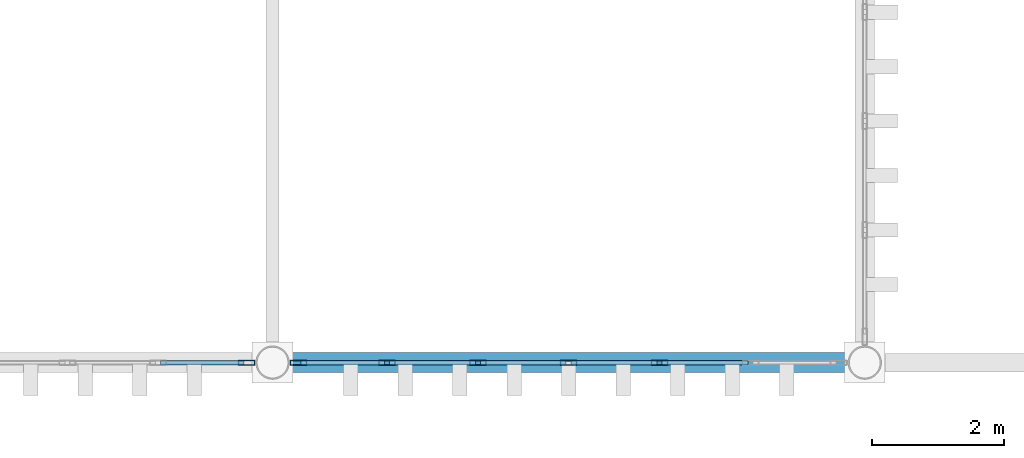
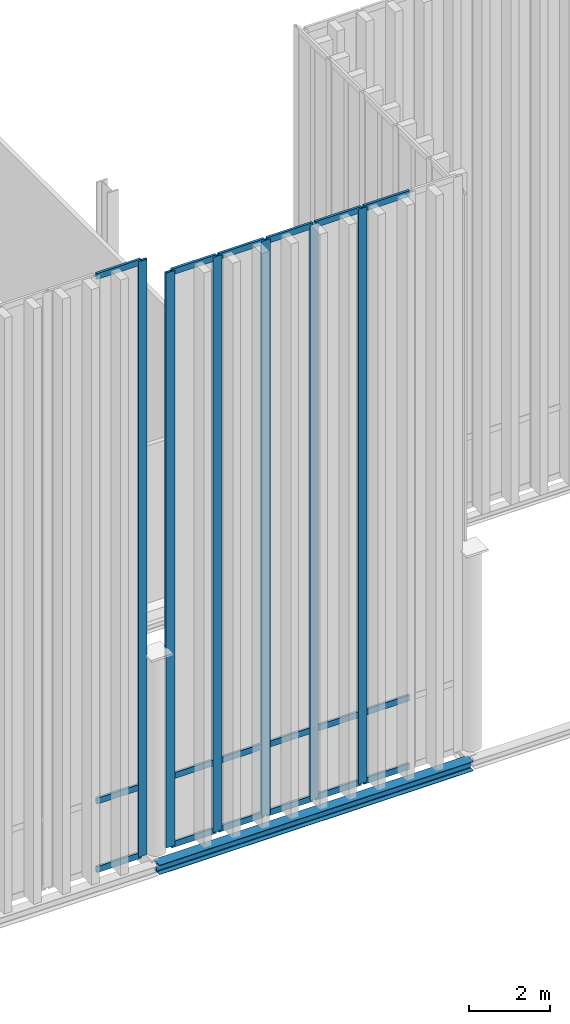
# One storey, part 27 of 237: 24 members, 1 beam, 2 elements without a shape of their own.
"""IFC4 building model written with IfcOpenShell, lengths in metres."""

from ifc_helpers import new_model, si_unit, direction, frame, origin, origin_2d, place, context, subcontext, project, spatial, hollow_rectangle, i_section, extrude, material, layer, layer_set, material_profile, profile_set, type_object, element, aggregate, save


model = new_model("IFC4")

# Units and contexts
model_context = context("Model", 3, precision=1e-05, world=origin(), true_north=direction((0.0, 1.0)))
body_context = subcontext(model_context, "Body", "Model", "MODEL_VIEW")
ifc_project = project(units=[si_unit("LENGTHUNIT", "METRE"), si_unit("AREAUNIT", "SQUARE_METRE"), si_unit("VOLUMEUNIT", "CUBIC_METRE"), si_unit("PLANEANGLEUNIT", "RADIAN"), si_unit("MASSUNIT", "GRAM", prefix="KILO")], contexts=[model_context])

# Site, building, storey
site_placement = place(None, origin())
site = spatial("IfcSite", under=ifc_project, at=site_placement, CompositionType="ELEMENT")
building_placement = place(site_placement, origin())
building = spatial("IfcBuilding", under=site, at=building_placement, Name="Barlavento Convention Centre", CompositionType="ELEMENT")
storey_placement = place(building_placement, frame((0.0, 0.0, 12.0)))
storey = spatial("IfcBuildingStorey", under=building, at=storey_placement, Name="L02", CompositionType="ELEMENT", Elevation=12.0)

# Curtain wall, member
ifc_material_1 = material(Name="Powder-coated aluminium and Low-E glass", Category="aluminium")
ifc_layer = layer(ifc_material_1, 0.18994140625)
ifc_layer_set = layer_set([ifc_layer], Name="ARC-CW-CONG-L02")
curtain_wall_type = type_object("IfcCurtainWallType", Name="ARC-CW-CONG-L02", PredefinedType="NOTDEFINED", material=ifc_layer_set)
curtain_wall_1_placement = place(storey_placement, origin())
curtain_wall_1 = element("IfcCurtainWall", 1, at=curtain_wall_1_placement, inside=storey, type_object=curtain_wall_type, Name="L02 unitised curtain wall CW02", PredefinedType="NOTDEFINED")
ifc_material_2 = material(Name="Powder-coated aluminium", Category="aluminium")
ifc_material_profile_1 = material_profile(ifc_material_2, hollow_rectangle(XDim=0.074951171875, YDim=0.25, WallThickness=0.006103515625, at=origin_2d()), Name="AL-MULL 75x250x6")
ifc_profile_set_1 = profile_set([ifc_material_profile_1], Name="Powder-coated aluminium")
member_type_1 = type_object("IfcMemberType", Name="ARC-CWM-75X250", PredefinedType="MULLION", material=ifc_profile_set_1)
member_1_placement = place(storey_placement, frame((8.603515625, 0.0, 0.0), z_axis=(0.0, 0.0, 1.0), x_axis=(0.0, 1.0, 0.0)))
member_1 = element("IfcMember", 2, at=member_1_placement, type_object=member_type_1, Name="CW02 mullion 7", PredefinedType="MULLION", context=body_context, shape_type="SweptSolid", body=[
    extrude(hollow_rectangle(XDim=0.074951171875, YDim=0.25, WallThickness=0.006103515625, at=origin_2d()), origin(), (0.0, 0.0, 1.0), 17.971923828125),
])

# Curtain wall, members
curtain_wall_2_placement = place(storey_placement, origin())
curtain_wall_2 = element("IfcCurtainWall", 3, at=curtain_wall_2_placement, inside=storey, type_object=curtain_wall_type, Name="L02 unitised curtain wall CW02", PredefinedType="NOTDEFINED")
member_2_placement = place(storey_placement, frame((9.396484375, 0.0, 0.0), z_axis=(0.0, 0.0, 1.0), x_axis=(0.0, 1.0, 0.0)))
member_2 = element("IfcMember", 4, at=member_2_placement, type_object=member_type_1, Name="CW02 mullion 1", PredefinedType="MULLION", context=body_context, shape_type="SweptSolid", body=[
    extrude(hollow_rectangle(XDim=0.074951171875, YDim=0.25, WallThickness=0.006103515625, at=origin_2d()), origin(), (0.0, 0.0, 1.0), 17.35400390625),
])
member_3_placement = place(storey_placement, frame((10.7392578125, 0.0, 0.0), z_axis=(0.0, 0.0, 1.0), x_axis=(0.0, 1.0, 0.0)))
member_3 = element("IfcMember", 5, at=member_3_placement, type_object=member_type_1, Name="CW02 mullion 2", PredefinedType="MULLION", context=body_context, shape_type="SweptSolid", body=[
    extrude(hollow_rectangle(XDim=0.074951171875, YDim=0.25, WallThickness=0.006103515625, at=origin_2d()), origin(), (0.0, 0.0, 1.0), 17.35400390625),
])
member_4_placement = place(storey_placement, frame((12.11962890625, 0.0, 0.0), z_axis=(0.0, 0.0, 1.0), x_axis=(0.0, 1.0, 0.0)))
member_4 = element("IfcMember", 6, at=member_4_placement, type_object=member_type_1, Name="CW02 mullion 3", PredefinedType="MULLION", context=body_context, shape_type="SweptSolid", body=[
    extrude(hollow_rectangle(XDim=0.074951171875, YDim=0.25, WallThickness=0.006103515625, at=origin_2d()), origin(), (0.0, 0.0, 1.0), 17.35400390625),
])
member_5_placement = place(storey_placement, frame((13.5, 0.0, 0.0), z_axis=(0.0, 0.0, 1.0), x_axis=(0.0, 1.0, 0.0)))
member_5 = element("IfcMember", 7, at=member_5_placement, type_object=member_type_1, Name="CW02 mullion 4", PredefinedType="MULLION", context=body_context, shape_type="SweptSolid", body=[
    extrude(hollow_rectangle(XDim=0.074951171875, YDim=0.25, WallThickness=0.006103515625, at=origin_2d()), origin(), (0.0, 0.0, 1.0), 17.35400390625),
])
member_6_placement = place(storey_placement, frame((14.88037109375, 0.0, 0.0), z_axis=(0.0, 0.0, 1.0), x_axis=(0.0, 1.0, 0.0)))
member_6 = element("IfcMember", 8, at=member_6_placement, type_object=member_type_1, Name="CW02 mullion 5", PredefinedType="MULLION", context=body_context, shape_type="SweptSolid", body=[
    extrude(hollow_rectangle(XDim=0.074951171875, YDim=0.25, WallThickness=0.006103515625, at=origin_2d()), origin(), (0.0, 0.0, 1.0), 17.35400390625),
])

# Member
ifc_material_profile_2 = material_profile(ifc_material_2, hollow_rectangle(XDim=0.070068359375, YDim=0.179931640625, WallThickness=0.0048828125, at=origin_2d()), Name="AL-TRAN 70x180x5")
ifc_profile_set_2 = profile_set([ifc_material_profile_2], Name="Powder-coated aluminium")
member_type_2 = type_object("IfcMemberType", Name="ARC-CWT-70X180", PredefinedType="USERDEFINED", material=ifc_profile_set_2)
member_7_placement = place(storey_placement, frame((7.298095703125, 0.0, 0.034912109375), z_axis=(1.0, 0.0, 0.0), x_axis=(0.0, 1.0, 0.0)))
member_7 = element("IfcMember", 9, at=member_7_placement, type_object=member_type_2, Name="CW02 transom 6.1", ObjectType="TRANSOM", PredefinedType="USERDEFINED", context=body_context, shape_type="SweptSolid", body=[
    extrude(hollow_rectangle(XDim=0.070068359375, YDim=0.179931640625, WallThickness=0.0048828125, at=origin_2d()), origin(), (0.0, 0.0, 1.0), 1.267822265625),
])

member_8_placement = place(storey_placement, frame((7.298095703125, 0.0, 2.10009765625), z_axis=(1.0, 0.0, 0.0), x_axis=(0.0, 1.0, 0.0)))
member_8 = element("IfcMember", 10, at=member_8_placement, type_object=member_type_2, Name="CW02 transom 6.2", ObjectType="TRANSOM", PredefinedType="USERDEFINED", context=body_context, shape_type="SweptSolid", body=[
    extrude(hollow_rectangle(XDim=0.070068359375, YDim=0.179931640625, WallThickness=0.0048828125, at=origin_2d()), origin(), (0.0, 0.0, 1.0), 1.267822265625),
])

member_9_placement = place(storey_placement, frame((7.298095703125, 0.0, 17.93701171875), z_axis=(1.0, 0.0, 0.0), x_axis=(0.0, 1.0, 0.0)))
member_9 = element("IfcMember", 11, at=member_9_placement, type_object=member_type_2, Name="CW02 transom 6.3", ObjectType="TRANSOM", PredefinedType="USERDEFINED", context=body_context, shape_type="SweptSolid", body=[
    extrude(hollow_rectangle(XDim=0.070068359375, YDim=0.179931640625, WallThickness=0.0048828125, at=origin_2d()), origin(), (0.0, 0.0, 1.0), 1.267822265625),
])

aggregate(curtain_wall_1, [member_1, member_7, member_8, member_9])

member_10_placement = place(storey_placement, frame((9.43408203125, 0.0, 0.034912109375), z_axis=(1.0, 0.0, 0.0), x_axis=(0.0, 1.0, 0.0)))
member_10 = element("IfcMember", 12, at=member_10_placement, type_object=member_type_2, Name="CW02 transom 1.1", ObjectType="TRANSOM", PredefinedType="USERDEFINED", context=body_context, shape_type="SweptSolid", body=[
    extrude(hollow_rectangle(XDim=0.070068359375, YDim=0.179931640625, WallThickness=0.0048828125, at=origin_2d()), origin(), (0.0, 0.0, 1.0), 1.267822265625),
])

member_11_placement = place(storey_placement, frame((9.43408203125, 0.0, 2.10009765625), z_axis=(1.0, 0.0, 0.0), x_axis=(0.0, 1.0, 0.0)))
member_11 = element("IfcMember", 13, at=member_11_placement, type_object=member_type_2, Name="CW02 transom 1.2", ObjectType="TRANSOM", PredefinedType="USERDEFINED", context=body_context, shape_type="SweptSolid", body=[
    extrude(hollow_rectangle(XDim=0.070068359375, YDim=0.179931640625, WallThickness=0.0048828125, at=origin_2d()), origin(), (0.0, 0.0, 1.0), 1.267822265625),
])

member_12_placement = place(storey_placement, frame((9.43408203125, 0.0, 17.319091796875), z_axis=(1.0, 0.0, 0.0), x_axis=(0.0, 1.0, 0.0)))
member_12 = element("IfcMember", 14, at=member_12_placement, type_object=member_type_2, Name="CW02 transom 1.3", ObjectType="TRANSOM", PredefinedType="USERDEFINED", context=body_context, shape_type="SweptSolid", body=[
    extrude(hollow_rectangle(XDim=0.070068359375, YDim=0.179931640625, WallThickness=0.0048828125, at=origin_2d()), origin(), (0.0, 0.0, 1.0), 1.267822265625),
])

member_13_placement = place(storey_placement, frame((10.77685546875, 0.0, 0.034912109375), z_axis=(1.0, 0.0, 0.0), x_axis=(0.0, 1.0, 0.0)))
member_13 = element("IfcMember", 15, at=member_13_placement, type_object=member_type_2, Name="CW02 transom 2.1", ObjectType="TRANSOM", PredefinedType="USERDEFINED", context=body_context, shape_type="SweptSolid", body=[
    extrude(hollow_rectangle(XDim=0.070068359375, YDim=0.179931640625, WallThickness=0.0048828125, at=origin_2d()), origin(), (0.0, 0.0, 1.0), 1.305419921875),
])

member_14_placement = place(storey_placement, frame((10.77685546875, 0.0, 2.10009765625), z_axis=(1.0, 0.0, 0.0), x_axis=(0.0, 1.0, 0.0)))
member_14 = element("IfcMember", 16, at=member_14_placement, type_object=member_type_2, Name="CW02 transom 2.2", ObjectType="TRANSOM", PredefinedType="USERDEFINED", context=body_context, shape_type="SweptSolid", body=[
    extrude(hollow_rectangle(XDim=0.070068359375, YDim=0.179931640625, WallThickness=0.0048828125, at=origin_2d()), origin(), (0.0, 0.0, 1.0), 1.305419921875),
])

member_15_placement = place(storey_placement, frame((10.77685546875, 0.0, 17.319091796875), z_axis=(1.0, 0.0, 0.0), x_axis=(0.0, 1.0, 0.0)))
member_15 = element("IfcMember", 17, at=member_15_placement, type_object=member_type_2, Name="CW02 transom 2.3", ObjectType="TRANSOM", PredefinedType="USERDEFINED", context=body_context, shape_type="SweptSolid", body=[
    extrude(hollow_rectangle(XDim=0.070068359375, YDim=0.179931640625, WallThickness=0.0048828125, at=origin_2d()), origin(), (0.0, 0.0, 1.0), 1.305419921875),
])

member_16_placement = place(storey_placement, frame((12.1572265625, 0.0, 0.034912109375), z_axis=(1.0, 0.0, 0.0), x_axis=(0.0, 1.0, 0.0)))
member_16 = element("IfcMember", 18, at=member_16_placement, type_object=member_type_2, Name="CW02 transom 3.1", ObjectType="TRANSOM", PredefinedType="USERDEFINED", context=body_context, shape_type="SweptSolid", body=[
    extrude(hollow_rectangle(XDim=0.070068359375, YDim=0.179931640625, WallThickness=0.0048828125, at=origin_2d()), origin(), (0.0, 0.0, 1.0), 1.30517578125),
])

member_17_placement = place(storey_placement, frame((12.1572265625, 0.0, 2.10009765625), z_axis=(1.0, 0.0, 0.0), x_axis=(0.0, 1.0, 0.0)))
member_17 = element("IfcMember", 19, at=member_17_placement, type_object=member_type_2, Name="CW02 transom 3.2", ObjectType="TRANSOM", PredefinedType="USERDEFINED", context=body_context, shape_type="SweptSolid", body=[
    extrude(hollow_rectangle(XDim=0.070068359375, YDim=0.179931640625, WallThickness=0.0048828125, at=origin_2d()), origin(), (0.0, 0.0, 1.0), 1.30517578125),
])

member_18_placement = place(storey_placement, frame((12.1572265625, 0.0, 17.319091796875), z_axis=(1.0, 0.0, 0.0), x_axis=(0.0, 1.0, 0.0)))
member_18 = element("IfcMember", 20, at=member_18_placement, type_object=member_type_2, Name="CW02 transom 3.3", ObjectType="TRANSOM", PredefinedType="USERDEFINED", context=body_context, shape_type="SweptSolid", body=[
    extrude(hollow_rectangle(XDim=0.070068359375, YDim=0.179931640625, WallThickness=0.0048828125, at=origin_2d()), origin(), (0.0, 0.0, 1.0), 1.30517578125),
])

member_19_placement = place(storey_placement, frame((13.53759765625, 0.0, 0.034912109375), z_axis=(1.0, 0.0, 0.0), x_axis=(0.0, 1.0, 0.0)))
member_19 = element("IfcMember", 21, at=member_19_placement, type_object=member_type_2, Name="CW02 transom 4.1", ObjectType="TRANSOM", PredefinedType="USERDEFINED", context=body_context, shape_type="SweptSolid", body=[
    extrude(hollow_rectangle(XDim=0.070068359375, YDim=0.179931640625, WallThickness=0.0048828125, at=origin_2d()), origin(), (0.0, 0.0, 1.0), 1.30517578125),
])

member_20_placement = place(storey_placement, frame((13.53759765625, 0.0, 2.10009765625), z_axis=(1.0, 0.0, 0.0), x_axis=(0.0, 1.0, 0.0)))
member_20 = element("IfcMember", 22, at=member_20_placement, type_object=member_type_2, Name="CW02 transom 4.2", ObjectType="TRANSOM", PredefinedType="USERDEFINED", context=body_context, shape_type="SweptSolid", body=[
    extrude(hollow_rectangle(XDim=0.070068359375, YDim=0.179931640625, WallThickness=0.0048828125, at=origin_2d()), origin(), (0.0, 0.0, 1.0), 1.30517578125),
])

member_21_placement = place(storey_placement, frame((13.53759765625, 0.0, 17.319091796875), z_axis=(1.0, 0.0, 0.0), x_axis=(0.0, 1.0, 0.0)))
member_21 = element("IfcMember", 23, at=member_21_placement, type_object=member_type_2, Name="CW02 transom 4.3", ObjectType="TRANSOM", PredefinedType="USERDEFINED", context=body_context, shape_type="SweptSolid", body=[
    extrude(hollow_rectangle(XDim=0.070068359375, YDim=0.179931640625, WallThickness=0.0048828125, at=origin_2d()), origin(), (0.0, 0.0, 1.0), 1.30517578125),
])

member_22_placement = place(storey_placement, frame((14.917724609375, 0.0, 0.034912109375), z_axis=(1.0, 0.0, 0.0), x_axis=(0.0, 1.0, 0.0)))
member_22 = element("IfcMember", 24, at=member_22_placement, type_object=member_type_2, Name="CW02 transom 5.1", ObjectType="TRANSOM", PredefinedType="USERDEFINED", context=body_context, shape_type="SweptSolid", body=[
    extrude(hollow_rectangle(XDim=0.070068359375, YDim=0.179931640625, WallThickness=0.0048828125, at=origin_2d()), origin(), (0.0, 0.0, 1.0), 1.305419921875),
])

member_23_placement = place(storey_placement, frame((14.917724609375, 0.0, 2.10009765625), z_axis=(1.0, 0.0, 0.0), x_axis=(0.0, 1.0, 0.0)))
member_23 = element("IfcMember", 25, at=member_23_placement, type_object=member_type_2, Name="CW02 transom 5.2", ObjectType="TRANSOM", PredefinedType="USERDEFINED", context=body_context, shape_type="SweptSolid", body=[
    extrude(hollow_rectangle(XDim=0.070068359375, YDim=0.179931640625, WallThickness=0.0048828125, at=origin_2d()), origin(), (0.0, 0.0, 1.0), 1.305419921875),
])

member_24_placement = place(storey_placement, frame((14.917724609375, 0.0, 17.319091796875), z_axis=(1.0, 0.0, 0.0), x_axis=(0.0, 1.0, 0.0)))
member_24 = element("IfcMember", 26, at=member_24_placement, type_object=member_type_2, Name="CW02 transom 5.3", ObjectType="TRANSOM", PredefinedType="USERDEFINED", context=body_context, shape_type="SweptSolid", body=[
    extrude(hollow_rectangle(XDim=0.070068359375, YDim=0.179931640625, WallThickness=0.0048828125, at=origin_2d()), origin(), (0.0, 0.0, 1.0), 1.305419921875),
])

aggregate(curtain_wall_2, [member_2, member_3, member_4, member_5, member_6, member_10, member_11, member_12, member_13, member_14, member_15, member_16, member_17, member_18, member_19, member_20, member_21, member_22, member_23, member_24])

# Beam
ifc_material_3 = material(Name="Steel S355", Category="steel")
ifc_material_profile_3 = material_profile(ifc_material_3, i_section(OverallWidth=0.300048828125, OverallDepth=0.2900390625, WebThickness=0.008544921875, FlangeThickness=0.013916015625, FilletRadius=0.027099609375, at=origin_2d()), Name="HEA 300")
ifc_profile_set_3 = profile_set([ifc_material_profile_3], Name="Steel S355")
beam_type = type_object("IfcBeamType", Name="STR-BM-SPN-HEA300", PredefinedType="SPANDREL", material=ifc_profile_set_3)
beam_placement = place(storey_placement, frame((9.02001953125, 0.0, -0.5048828125), z_axis=(1.0, 0.0, 0.0), x_axis=(0.0, 1.0, 0.0)))
element("IfcBeam", 27, at=beam_placement, inside=storey, type_object=beam_type, Name="L02 primary girder SP02", PredefinedType="SPANDREL", context=body_context, shape_type="SweptSolid", body=[
    extrude(i_section(OverallWidth=0.300048828125, OverallDepth=0.2900390625, WebThickness=0.008544921875, FlangeThickness=0.013916015625, FilletRadius=0.027099609375, at=origin_2d()), origin(), (0.0, 0.0, 1.0), 8.9599609375),
])

save(model, "model.ifc")
